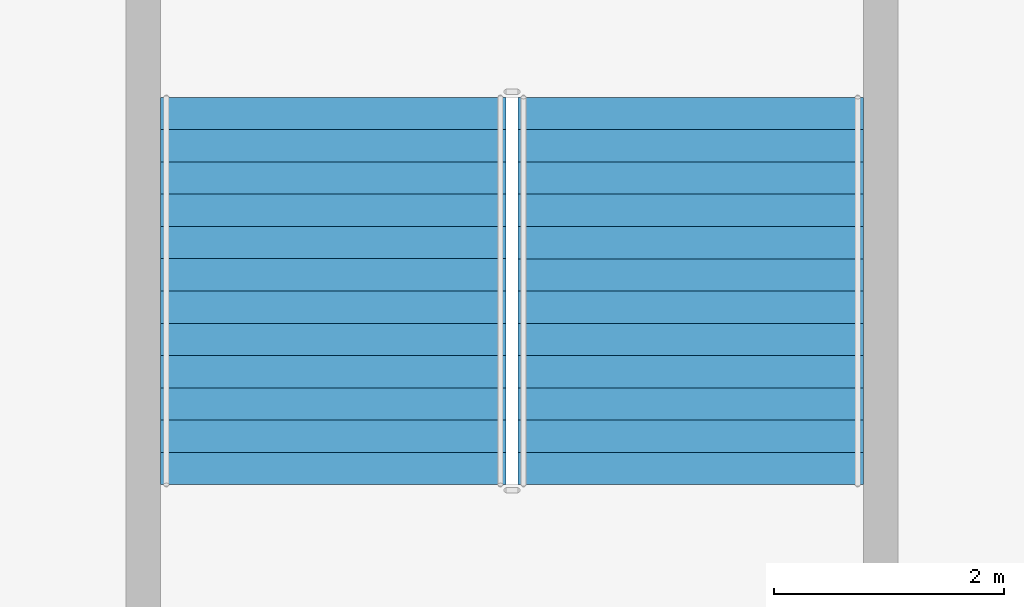
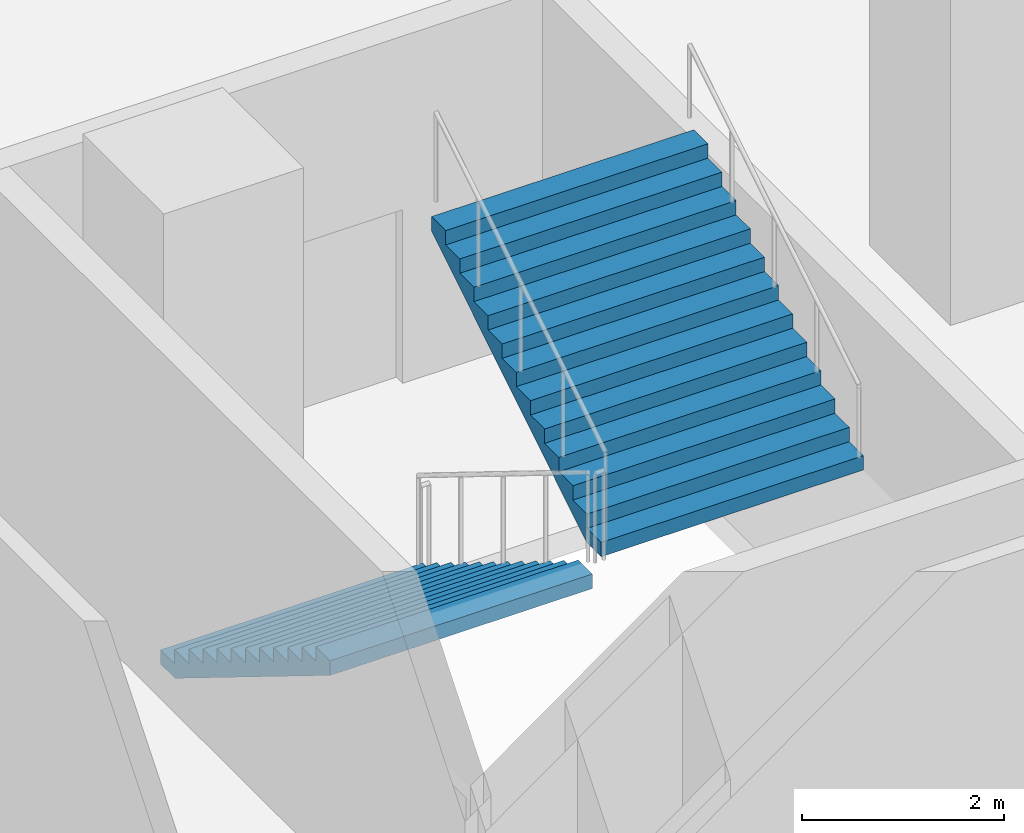
# One storey, part 9 of 14: 2 stair flights, 1 element without a shape of its own.
"""IFC4 building model written with IfcOpenShell, lengths in metres."""

from ifc_helpers import new_model, si_unit, direction, frame, origin, place, context, subcontext, project, spatial, triangles, source, transform, mapped, material, type_object, element, aggregate, save


model = new_model("IFC4")

# Units and contexts
model_context = context("Model", 3, precision=1e-05, world=origin(), true_north=direction((0.0, 1.0)))
body_context = subcontext(model_context, "Body", "Model", "MODEL_VIEW")
ifc_project = project(units=[si_unit("LENGTHUNIT", "METRE"), si_unit("AREAUNIT", "SQUARE_METRE"), si_unit("VOLUMEUNIT", "CUBIC_METRE"), si_unit("PLANEANGLEUNIT", "RADIAN"), si_unit("MASSUNIT", "GRAM", prefix="KILO")], contexts=[model_context])

# Site, building, storey
site_placement = place(None, origin())
site = spatial("IfcSite", under=ifc_project, at=site_placement, CompositionType="ELEMENT")
building_placement = place(site_placement, origin())
building = spatial("IfcBuilding", under=site, at=building_placement, Name="Ogive Portal Towers", CompositionType="ELEMENT")
storey_placement = place(building_placement, frame((0.0, 0.0, -4.5)))
storey = spatial("IfcBuildingStorey", under=building, at=storey_placement, Name="B1", CompositionType="ELEMENT", Elevation=-4.5)

# Stair, stair flights
ifc_material = material(Name="Concrete C40/50", Category="concrete")
stair_type = type_object("IfcStairType", Name="INT-STAIR", PredefinedType="HALF_TURN_STAIR", material=ifc_material)
stair_placement = place(storey_placement, origin())
stair = element("IfcStair", 1, at=stair_placement, inside=storey, type_object=stair_type, Name="B1 Exit Stair ST-S1", PredefinedType="HALF_TURN_STAIR")
stair_flight_type = type_object("IfcStairFlightType", Name="INT-FLIGHT", PredefinedType="STRAIGHT", material=ifc_material)
shared_shape = source(origin(), body_context, "Body", "Tessellation", [
    triangles([(0.0, -1.5, 0.0), (0.0, -0.8681640625, 0.0), (0.0, -0.4443359375, 0.0), (0.0, -0.1875, 0.0), (0.0, -0.0556640625, 0.0), (0.0, -0.0068359375, 0.0), (0.0, 0.0, 0.0), (0.0, 0.0068359375, 0.0), (0.0, 0.0556640625, 0.0), (0.0, 0.1875, 0.0), (0.0, 0.4443359375, 0.0), (0.0, 0.8681640625, 0.0), (0.0, 1.5, 0.0), (0.0, -1.5, 0.173095703125), (0.0, -0.8681640625, 0.173095703125), (0.0, -0.4443359375, 0.173095703125), (0.0, -0.1875, 0.173095703125), (0.0, -0.0556640625, 0.173095703125), (0.0, -0.0068359375, 0.173095703125), (0.0, 0.0, 0.173095703125), (0.0, 0.0068359375, 0.173095703125), (0.0, 0.0556640625, 0.173095703125), (0.0, 0.1875, 0.173095703125), (0.0, 0.4443359375, 0.173095703125), (0.0, 0.8681640625, 0.173095703125), (0.0, 1.5, 0.173095703125), (0.280029296875, -1.5, 0.173095703125), (0.280029296875, -0.8681640625, 0.173095703125), (0.280029296875, -0.4443359375, 0.173095703125), (0.280029296875, -0.1875, 0.173095703125), (0.280029296875, -0.0556640625, 0.173095703125), (0.280029296875, -0.0068359375, 0.173095703125), (0.280029296875, 0.0, 0.173095703125), (0.280029296875, 0.0068359375, 0.173095703125), (0.280029296875, 0.0556640625, 0.173095703125), (0.280029296875, 0.1875, 0.173095703125), (0.280029296875, 0.4443359375, 0.173095703125), (0.280029296875, 0.8681640625, 0.173095703125), (0.280029296875, 1.5, 0.173095703125), (0.280029296875, -1.5, 0.34619140625), (0.280029296875, -0.8681640625, 0.34619140625), (0.280029296875, -0.4443359375, 0.34619140625), (0.280029296875, -0.1875, 0.34619140625), (0.280029296875, -0.0556640625, 0.34619140625), (0.280029296875, -0.0068359375, 0.34619140625), (0.280029296875, 0.0, 0.34619140625), (0.280029296875, 0.0068359375, 0.34619140625), (0.280029296875, 0.0556640625, 0.34619140625), (0.280029296875, 0.1875, 0.34619140625), (0.280029296875, 0.4443359375, 0.34619140625), (0.280029296875, 0.8681640625, 0.34619140625), (0.280029296875, 1.5, 0.34619140625), (0.56005859375, -1.5, 0.34619140625), (0.56005859375, -0.8681640625, 0.34619140625), (0.56005859375, -0.4443359375, 0.34619140625), (0.56005859375, -0.1875, 0.34619140625), (0.56005859375, -0.0556640625, 0.34619140625), (0.56005859375, -0.0068359375, 0.34619140625), (0.56005859375, 0.0, 0.34619140625), (0.56005859375, 0.0068359375, 0.34619140625), (0.56005859375, 0.0556640625, 0.34619140625), (0.56005859375, 0.1875, 0.34619140625), (0.56005859375, 0.4443359375, 0.34619140625), (0.56005859375, 0.8681640625, 0.34619140625), (0.56005859375, 1.5, 0.34619140625), (0.56005859375, -1.5, 0.519287109375), (0.56005859375, -0.8681640625, 0.519287109375), (0.56005859375, -0.4443359375, 0.519287109375), (0.56005859375, -0.1875, 0.519287109375), (0.56005859375, -0.0556640625, 0.519287109375), (0.56005859375, -0.0068359375, 0.519287109375), (0.56005859375, 0.0, 0.519287109375), (0.56005859375, 0.0068359375, 0.519287109375), (0.56005859375, 0.0556640625, 0.519287109375), (0.56005859375, 0.1875, 0.519287109375), (0.56005859375, 0.4443359375, 0.519287109375), (0.56005859375, 0.8681640625, 0.519287109375), (0.56005859375, 1.5, 0.519287109375), (0.840087890625, -1.5, 0.519287109375), (0.840087890625, -0.8681640625, 0.519287109375), (0.840087890625, -0.4443359375, 0.519287109375), (0.840087890625, -0.1875, 0.519287109375), (0.840087890625, -0.0556640625, 0.519287109375), (0.840087890625, -0.0068359375, 0.519287109375), (0.840087890625, 0.0, 0.519287109375), (0.840087890625, 0.0068359375, 0.519287109375), (0.840087890625, 0.0556640625, 0.519287109375), (0.840087890625, 0.1875, 0.519287109375), (0.840087890625, 0.4443359375, 0.519287109375), (0.840087890625, 0.8681640625, 0.519287109375), (0.840087890625, 1.5, 0.519287109375), (0.840087890625, -1.5, 0.6923828125), (0.840087890625, -0.8681640625, 0.6923828125), (0.840087890625, -0.4443359375, 0.6923828125), (0.840087890625, -0.1875, 0.6923828125), (0.840087890625, -0.0556640625, 0.6923828125), (0.840087890625, -0.0068359375, 0.6923828125), (0.840087890625, 0.0, 0.6923828125), (0.840087890625, 0.0068359375, 0.6923828125), (0.840087890625, 0.0556640625, 0.6923828125), (0.840087890625, 0.1875, 0.6923828125), (0.840087890625, 0.4443359375, 0.6923828125), (0.840087890625, 0.8681640625, 0.6923828125), (0.840087890625, 1.5, 0.6923828125), (1.1201171875, -1.5, 0.6923828125), (1.1201171875, -0.8681640625, 0.6923828125), (1.1201171875, -0.4443359375, 0.6923828125), (1.1201171875, -0.1875, 0.6923828125), (1.1201171875, -0.0556640625, 0.6923828125), (1.1201171875, -0.0068359375, 0.6923828125), (1.1201171875, 0.0, 0.6923828125), (1.1201171875, 0.0068359375, 0.6923828125), (1.1201171875, 0.0556640625, 0.6923828125), (1.1201171875, 0.1875, 0.6923828125), (1.1201171875, 0.4443359375, 0.6923828125), (1.1201171875, 0.8681640625, 0.6923828125), (1.1201171875, 1.5, 0.6923828125), (1.1201171875, -1.5, 0.865478515625), (1.1201171875, -0.8681640625, 0.865478515625), (1.1201171875, -0.4443359375, 0.865478515625), (1.1201171875, -0.1875, 0.865478515625), (1.1201171875, -0.0556640625, 0.865478515625), (1.1201171875, -0.0068359375, 0.865478515625), (1.1201171875, 0.0, 0.865478515625), (1.1201171875, 0.0068359375, 0.865478515625), (1.1201171875, 0.0556640625, 0.865478515625), (1.1201171875, 0.1875, 0.865478515625), (1.1201171875, 0.4443359375, 0.865478515625), (1.1201171875, 0.8681640625, 0.865478515625), (1.1201171875, 1.5, 0.865478515625), (1.39990234375, -1.5, 0.865478515625), (1.39990234375, -0.8681640625, 0.865478515625), (1.39990234375, -0.4443359375, 0.865478515625), (1.39990234375, -0.1875, 0.865478515625), (1.39990234375, -0.0556640625, 0.865478515625), (1.39990234375, -0.0068359375, 0.865478515625), (1.39990234375, 0.0, 0.865478515625), (1.39990234375, 0.0068359375, 0.865478515625), (1.39990234375, 0.0556640625, 0.865478515625), (1.39990234375, 0.1875, 0.865478515625), (1.39990234375, 0.4443359375, 0.865478515625), (1.39990234375, 0.8681640625, 0.865478515625), (1.39990234375, 1.5, 0.865478515625), (1.39990234375, -1.5, 1.03857421875), (1.39990234375, -0.8681640625, 1.03857421875), (1.39990234375, -0.4443359375, 1.03857421875), (1.39990234375, -0.1875, 1.03857421875), (1.39990234375, -0.0556640625, 1.03857421875), (1.39990234375, -0.0068359375, 1.03857421875), (1.39990234375, 0.0, 1.03857421875), (1.39990234375, 0.0068359375, 1.03857421875), (1.39990234375, 0.0556640625, 1.03857421875), (1.39990234375, 0.1875, 1.03857421875), (1.39990234375, 0.4443359375, 1.03857421875), (1.39990234375, 0.8681640625, 1.03857421875), (1.39990234375, 1.5, 1.03857421875), (1.679931640625, -1.5, 1.03857421875), (1.679931640625, -0.8681640625, 1.03857421875), (1.679931640625, -0.4443359375, 1.03857421875), (1.679931640625, -0.1875, 1.03857421875), (1.679931640625, -0.0556640625, 1.03857421875), (1.679931640625, -0.0068359375, 1.03857421875), (1.679931640625, 0.0, 1.03857421875), (1.679931640625, 0.0068359375, 1.03857421875), (1.679931640625, 0.0556640625, 1.03857421875), (1.679931640625, 0.1875, 1.03857421875), (1.679931640625, 0.4443359375, 1.03857421875), (1.679931640625, 0.8681640625, 1.03857421875), (1.679931640625, 1.5, 1.03857421875), (1.679931640625, -1.5, 1.21142578125), (1.679931640625, -0.8681640625, 1.21142578125), (1.679931640625, -0.4443359375, 1.21142578125), (1.679931640625, -0.1875, 1.21142578125), (1.679931640625, -0.0556640625, 1.21142578125), (1.679931640625, -0.0068359375, 1.21142578125), (1.679931640625, 0.0, 1.21142578125), (1.679931640625, 0.0068359375, 1.21142578125), (1.679931640625, 0.0556640625, 1.21142578125), (1.679931640625, 0.1875, 1.21142578125), (1.679931640625, 0.4443359375, 1.21142578125), (1.679931640625, 0.8681640625, 1.21142578125), (1.679931640625, 1.5, 1.21142578125), (1.9599609375, -1.5, 1.21142578125), (1.9599609375, -0.8681640625, 1.21142578125), (1.9599609375, -0.4443359375, 1.21142578125), (1.9599609375, -0.1875, 1.21142578125), (1.9599609375, -0.0556640625, 1.21142578125), (1.9599609375, -0.0068359375, 1.21142578125), (1.9599609375, 0.0, 1.21142578125), (1.9599609375, 0.0068359375, 1.21142578125), (1.9599609375, 0.0556640625, 1.21142578125), (1.9599609375, 0.1875, 1.21142578125), (1.9599609375, 0.4443359375, 1.21142578125), (1.9599609375, 0.8681640625, 1.21142578125), (1.9599609375, 1.5, 1.21142578125), (1.9599609375, -1.5, 1.384521484375), (1.9599609375, -0.8681640625, 1.384521484375), (1.9599609375, -0.4443359375, 1.384521484375), (1.9599609375, -0.1875, 1.384521484375), (1.9599609375, -0.0556640625, 1.384521484375), (1.9599609375, -0.0068359375, 1.384521484375), (1.9599609375, 0.0, 1.384521484375), (1.9599609375, 0.0068359375, 1.384521484375), (1.9599609375, 0.0556640625, 1.384521484375), (1.9599609375, 0.1875, 1.384521484375), (1.9599609375, 0.4443359375, 1.384521484375), (1.9599609375, 0.8681640625, 1.384521484375), (1.9599609375, 1.5, 1.384521484375), (2.239990234375, -1.5, 1.384521484375), (2.239990234375, -0.8681640625, 1.384521484375), (2.239990234375, -0.4443359375, 1.384521484375), (2.239990234375, -0.1875, 1.384521484375), (2.239990234375, -0.0556640625, 1.384521484375), (2.239990234375, -0.0068359375, 1.384521484375), (2.239990234375, 0.0, 1.384521484375), (2.239990234375, 0.0068359375, 1.384521484375), (2.239990234375, 0.0556640625, 1.384521484375), (2.239990234375, 0.1875, 1.384521484375), (2.239990234375, 0.4443359375, 1.384521484375), (2.239990234375, 0.8681640625, 1.384521484375), (2.239990234375, 1.5, 1.384521484375), (2.239990234375, -1.5, 1.5576171875), (2.239990234375, -0.8681640625, 1.5576171875), (2.239990234375, -0.4443359375, 1.5576171875), (2.239990234375, -0.1875, 1.5576171875), (2.239990234375, -0.0556640625, 1.5576171875), (2.239990234375, -0.0068359375, 1.5576171875), (2.239990234375, 0.0, 1.5576171875), (2.239990234375, 0.0068359375, 1.5576171875), (2.239990234375, 0.0556640625, 1.5576171875), (2.239990234375, 0.1875, 1.5576171875), (2.239990234375, 0.4443359375, 1.5576171875), (2.239990234375, 0.8681640625, 1.5576171875), (2.239990234375, 1.5, 1.5576171875), (2.52001953125, -1.5, 1.5576171875), (2.52001953125, -0.8681640625, 1.5576171875), (2.52001953125, -0.4443359375, 1.5576171875), (2.52001953125, -0.1875, 1.5576171875), (2.52001953125, -0.0556640625, 1.5576171875), (2.52001953125, -0.0068359375, 1.5576171875), (2.52001953125, 0.0, 1.5576171875), (2.52001953125, 0.0068359375, 1.5576171875), (2.52001953125, 0.0556640625, 1.5576171875), (2.52001953125, 0.1875, 1.5576171875), (2.52001953125, 0.4443359375, 1.5576171875), (2.52001953125, 0.8681640625, 1.5576171875), (2.52001953125, 1.5, 1.5576171875), (2.52001953125, -1.5, 1.730712890625), (2.52001953125, -0.8681640625, 1.730712890625), (2.52001953125, -0.4443359375, 1.730712890625), (2.52001953125, -0.1875, 1.730712890625), (2.52001953125, -0.0556640625, 1.730712890625), (2.52001953125, -0.0068359375, 1.730712890625), (2.52001953125, 0.0, 1.730712890625), (2.52001953125, 0.0068359375, 1.730712890625), (2.52001953125, 0.0556640625, 1.730712890625), (2.52001953125, 0.1875, 1.730712890625), (2.52001953125, 0.4443359375, 1.730712890625), (2.52001953125, 0.8681640625, 1.730712890625), (2.52001953125, 1.5, 1.730712890625), (2.800048828125, -1.5, 1.730712890625), (2.800048828125, -0.8681640625, 1.730712890625), (2.800048828125, -0.4443359375, 1.730712890625), (2.800048828125, -0.1875, 1.730712890625), (2.800048828125, -0.0556640625, 1.730712890625), (2.800048828125, -0.0068359375, 1.730712890625), (2.800048828125, 0.0, 1.730712890625), (2.800048828125, 0.0068359375, 1.730712890625), (2.800048828125, 0.0556640625, 1.730712890625), (2.800048828125, 0.1875, 1.730712890625), (2.800048828125, 0.4443359375, 1.730712890625), (2.800048828125, 0.8681640625, 1.730712890625), (2.800048828125, 1.5, 1.730712890625), (2.800048828125, -1.5, 1.90380859375), (2.800048828125, -0.8681640625, 1.90380859375), (2.800048828125, -0.4443359375, 1.90380859375), (2.800048828125, -0.1875, 1.90380859375), (2.800048828125, -0.0556640625, 1.90380859375), (2.800048828125, -0.0068359375, 1.90380859375), (2.800048828125, 0.0, 1.90380859375), (2.800048828125, 0.0068359375, 1.90380859375), (2.800048828125, 0.0556640625, 1.90380859375), (2.800048828125, 0.1875, 1.90380859375), (2.800048828125, 0.4443359375, 1.90380859375), (2.800048828125, 0.8681640625, 1.90380859375), (2.800048828125, 1.5, 1.90380859375), (3.080078125, -1.5, 1.90380859375), (3.080078125, -0.8681640625, 1.90380859375), (3.080078125, -0.4443359375, 1.90380859375), (3.080078125, -0.1875, 1.90380859375), (3.080078125, -0.0556640625, 1.90380859375), (3.080078125, -0.0068359375, 1.90380859375), (3.080078125, 0.0, 1.90380859375), (3.080078125, 0.0068359375, 1.90380859375), (3.080078125, 0.0556640625, 1.90380859375), (3.080078125, 0.1875, 1.90380859375), (3.080078125, 0.4443359375, 1.90380859375), (3.080078125, 0.8681640625, 1.90380859375), (3.080078125, 1.5, 1.90380859375), (3.080078125, -1.5, 2.076904296875), (3.080078125, -0.8681640625, 2.076904296875), (3.080078125, -0.4443359375, 2.076904296875), (3.080078125, -0.1875, 2.076904296875), (3.080078125, -0.0556640625, 2.076904296875), (3.080078125, -0.0068359375, 2.076904296875), (3.080078125, 0.0, 2.076904296875), (3.080078125, 0.0068359375, 2.076904296875), (3.080078125, 0.0556640625, 2.076904296875), (3.080078125, 0.1875, 2.076904296875), (3.080078125, 0.4443359375, 2.076904296875), (3.080078125, 0.8681640625, 2.076904296875), (3.080078125, 1.5, 2.076904296875), (3.360107421875, -1.5, 2.076904296875), (3.360107421875, -0.8681640625, 2.076904296875), (3.360107421875, -0.4443359375, 2.076904296875), (3.360107421875, -0.1875, 2.076904296875), (3.360107421875, -0.0556640625, 2.076904296875), (3.360107421875, -0.0068359375, 2.076904296875), (3.360107421875, 0.0, 2.076904296875), (3.360107421875, 0.0068359375, 2.076904296875), (3.360107421875, 0.0556640625, 2.076904296875), (3.360107421875, 0.1875, 2.076904296875), (3.360107421875, 0.4443359375, 2.076904296875), (3.360107421875, 0.8681640625, 2.076904296875), (3.360107421875, 1.5, 2.076904296875), (3.360107421875, -1.5, 1.900634765625), (3.360107421875, -0.8681640625, 1.900634765625), (3.360107421875, -0.4443359375, 1.900634765625), (3.360107421875, -0.1875, 1.900634765625), (3.360107421875, -0.0556640625, 1.900634765625), (3.360107421875, -0.0068359375, 1.900634765625), (3.360107421875, 0.0, 1.900634765625), (3.360107421875, 0.0068359375, 1.900634765625), (3.360107421875, 0.0556640625, 1.900634765625), (3.360107421875, 0.1875, 1.900634765625), (3.360107421875, 0.4443359375, 1.900634765625), (3.360107421875, 0.8681640625, 1.900634765625), (3.360107421875, 1.5, 1.900634765625), (0.28515625, -1.5, 0.0), (0.28515625, -0.8681640625, 0.0), (0.28515625, -0.4443359375, 0.0), (0.28515625, -0.1875, 0.0), (0.28515625, -0.0556640625, 0.0), (0.28515625, -0.0068359375, 0.0), (0.28515625, 0.0, 0.0), (0.28515625, 0.0068359375, 0.0), (0.28515625, 0.0556640625, 0.0), (0.28515625, 0.1875, 0.0), (0.28515625, 0.4443359375, 0.0), (0.28515625, 0.8681640625, 0.0), (0.28515625, 1.5, 0.0)], [[1, 14, 15], [1, 15, 2], [2, 15, 16], [2, 16, 3], [3, 16, 17], [3, 17, 4], [4, 17, 18], [4, 18, 5], [5, 18, 19], [5, 19, 6], [6, 19, 20], [6, 20, 7], [7, 20, 21], [7, 21, 8], [8, 21, 22], [8, 22, 9], [9, 22, 23], [9, 23, 10], [10, 23, 24], [10, 24, 11], [11, 24, 25], [11, 25, 12], [12, 25, 26], [12, 26, 13], [14, 27, 28], [14, 28, 15], [15, 28, 29], [15, 29, 16], [16, 29, 30], [16, 30, 17], [17, 30, 31], [17, 31, 18], [18, 31, 32], [18, 32, 19], [19, 32, 33], [19, 33, 20], [20, 33, 34], [20, 34, 21], [21, 34, 35], [21, 35, 22], [22, 35, 36], [22, 36, 23], [23, 36, 37], [23, 37, 24], [24, 37, 38], [24, 38, 25], [25, 38, 39], [25, 39, 26], [27, 40, 41], [27, 41, 28], [28, 41, 42], [28, 42, 29], [29, 42, 43], [29, 43, 30], [30, 43, 44], [30, 44, 31], [31, 44, 45], [31, 45, 32], [32, 45, 46], [32, 46, 33], [33, 46, 47], [33, 47, 34], [34, 47, 48], [34, 48, 35], [35, 48, 49], [35, 49, 36], [36, 49, 50], [36, 50, 37], [37, 50, 51], [37, 51, 38], [38, 51, 52], [38, 52, 39], [40, 53, 54], [40, 54, 41], [41, 54, 55], [41, 55, 42], [42, 55, 56], [42, 56, 43], [43, 56, 57], [43, 57, 44], [44, 57, 58], [44, 58, 45], [45, 58, 59], [45, 59, 46], [46, 59, 60], [46, 60, 47], [47, 60, 61], [47, 61, 48], [48, 61, 62], [48, 62, 49], [49, 62, 63], [49, 63, 50], [50, 63, 64], [50, 64, 51], [51, 64, 65], [51, 65, 52], [53, 66, 67], [53, 67, 54], [54, 67, 68], [54, 68, 55], [55, 68, 69], [55, 69, 56], [56, 69, 70], [56, 70, 57], [57, 70, 71], [57, 71, 58], [58, 71, 72], [58, 72, 59], [59, 72, 73], [59, 73, 60], [60, 73, 74], [60, 74, 61], [61, 74, 75], [61, 75, 62], [62, 75, 76], [62, 76, 63], [63, 76, 77], [63, 77, 64], [64, 77, 78], [64, 78, 65], [66, 79, 80], [66, 80, 67], [67, 80, 81], [67, 81, 68], [68, 81, 82], [68, 82, 69], [69, 82, 83], [69, 83, 70], [70, 83, 84], [70, 84, 71], [71, 84, 85], [71, 85, 72], [72, 85, 86], [72, 86, 73], [73, 86, 87], [73, 87, 74], [74, 87, 88], [74, 88, 75], [75, 88, 89], [75, 89, 76], [76, 89, 90], [76, 90, 77], [77, 90, 91], [77, 91, 78], [79, 92, 93], [79, 93, 80], [80, 93, 94], [80, 94, 81], [81, 94, 95], [81, 95, 82], [82, 95, 96], [82, 96, 83], [83, 96, 97], [83, 97, 84], [84, 97, 98], [84, 98, 85], [85, 98, 99], [85, 99, 86], [86, 99, 100], [86, 100, 87], [87, 100, 101], [87, 101, 88], [88, 101, 102], [88, 102, 89], [89, 102, 103], [89, 103, 90], [90, 103, 104], [90, 104, 91], [92, 105, 106], [92, 106, 93], [93, 106, 107], [93, 107, 94], [94, 107, 108], [94, 108, 95], [95, 108, 109], [95, 109, 96], [96, 109, 110], [96, 110, 97], [97, 110, 111], [97, 111, 98], [98, 111, 112], [98, 112, 99], [99, 112, 113], [99, 113, 100], [100, 113, 114], [100, 114, 101], [101, 114, 115], [101, 115, 102], [102, 115, 116], [102, 116, 103], [103, 116, 117], [103, 117, 104], [105, 118, 119], [105, 119, 106], [106, 119, 120], [106, 120, 107], [107, 120, 121], [107, 121, 108], [108, 121, 122], [108, 122, 109], [109, 122, 123], [109, 123, 110], [110, 123, 124], [110, 124, 111], [111, 124, 125], [111, 125, 112], [112, 125, 126], [112, 126, 113], [113, 126, 127], [113, 127, 114], [114, 127, 128], [114, 128, 115], [115, 128, 129], [115, 129, 116], [116, 129, 130], [116, 130, 117], [118, 131, 132], [118, 132, 119], [119, 132, 133], [119, 133, 120], [120, 133, 134], [120, 134, 121], [121, 134, 135], [121, 135, 122], [122, 135, 136], [122, 136, 123], [123, 136, 137], [123, 137, 124], [124, 137, 138], [124, 138, 125], [125, 138, 139], [125, 139, 126], [126, 139, 140], [126, 140, 127], [127, 140, 141], [127, 141, 128], [128, 141, 142], [128, 142, 129], [129, 142, 143], [129, 143, 130], [131, 144, 145], [131, 145, 132], [132, 145, 146], [132, 146, 133], [133, 146, 147], [133, 147, 134], [134, 147, 148], [134, 148, 135], [135, 148, 149], [135, 149, 136], [136, 149, 150], [136, 150, 137], [137, 150, 151], [137, 151, 138], [138, 151, 152], [138, 152, 139], [139, 152, 153], [139, 153, 140], [140, 153, 154], [140, 154, 141], [141, 154, 155], [141, 155, 142], [142, 155, 156], [142, 156, 143], [144, 157, 158], [144, 158, 145], [145, 158, 159], [145, 159, 146], [146, 159, 160], [146, 160, 147], [147, 160, 161], [147, 161, 148], [148, 161, 162], [148, 162, 149], [149, 162, 163], [149, 163, 150], [150, 163, 164], [150, 164, 151], [151, 164, 165], [151, 165, 152], [152, 165, 166], [152, 166, 153], [153, 166, 167], [153, 167, 154], [154, 167, 168], [154, 168, 155], [155, 168, 169], [155, 169, 156], [157, 170, 171], [157, 171, 158], [158, 171, 172], [158, 172, 159], [159, 172, 173], [159, 173, 160], [160, 173, 174], [160, 174, 161], [161, 174, 175], [161, 175, 162], [162, 175, 176], [162, 176, 163], [163, 176, 177], [163, 177, 164], [164, 177, 178], [164, 178, 165], [165, 178, 179], [165, 179, 166], [166, 179, 180], [166, 180, 167], [167, 180, 181], [167, 181, 168], [168, 181, 182], [168, 182, 169], [170, 183, 184], [170, 184, 171], [171, 184, 185], [171, 185, 172], [172, 185, 186], [172, 186, 173], [173, 186, 187], [173, 187, 174], [174, 187, 188], [174, 188, 175], [175, 188, 189], [175, 189, 176], [176, 189, 190], [176, 190, 177], [177, 190, 191], [177, 191, 178], [178, 191, 192], [178, 192, 179], [179, 192, 193], [179, 193, 180], [180, 193, 194], [180, 194, 181], [181, 194, 195], [181, 195, 182], [183, 196, 197], [183, 197, 184], [184, 197, 198], [184, 198, 185], [185, 198, 199], [185, 199, 186], [186, 199, 200], [186, 200, 187], [187, 200, 201], [187, 201, 188], [188, 201, 202], [188, 202, 189], [189, 202, 203], [189, 203, 190], [190, 203, 204], [190, 204, 191], [191, 204, 205], [191, 205, 192], [192, 205, 206], [192, 206, 193], [193, 206, 207], [193, 207, 194], [194, 207, 208], [194, 208, 195], [196, 209, 210], [196, 210, 197], [197, 210, 211], [197, 211, 198], [198, 211, 212], [198, 212, 199], [199, 212, 213], [199, 213, 200], [200, 213, 214], [200, 214, 201], [201, 214, 215], [201, 215, 202], [202, 215, 216], [202, 216, 203], [203, 216, 217], [203, 217, 204], [204, 217, 218], [204, 218, 205], [205, 218, 219], [205, 219, 206], [206, 219, 220], [206, 220, 207], [207, 220, 221], [207, 221, 208], [209, 222, 223], [209, 223, 210], [210, 223, 224], [210, 224, 211], [211, 224, 225], [211, 225, 212], [212, 225, 226], [212, 226, 213], [213, 226, 227], [213, 227, 214], [214, 227, 228], [214, 228, 215], [215, 228, 229], [215, 229, 216], [216, 229, 230], [216, 230, 217], [217, 230, 231], [217, 231, 218], [218, 231, 232], [218, 232, 219], [219, 232, 233], [219, 233, 220], [220, 233, 234], [220, 234, 221], [222, 235, 236], [222, 236, 223], [223, 236, 237], [223, 237, 224], [224, 237, 238], [224, 238, 225], [225, 238, 239], [225, 239, 226], [226, 239, 240], [226, 240, 227], [227, 240, 241], [227, 241, 228], [228, 241, 242], [228, 242, 229], [229, 242, 243], [229, 243, 230], [230, 243, 244], [230, 244, 231], [231, 244, 245], [231, 245, 232], [232, 245, 246], [232, 246, 233], [233, 246, 247], [233, 247, 234], [235, 248, 249], [235, 249, 236], [236, 249, 250], [236, 250, 237], [237, 250, 251], [237, 251, 238], [238, 251, 252], [238, 252, 239], [239, 252, 253], [239, 253, 240], [240, 253, 254], [240, 254, 241], [241, 254, 255], [241, 255, 242], [242, 255, 256], [242, 256, 243], [243, 256, 257], [243, 257, 244], [244, 257, 258], [244, 258, 245], [245, 258, 259], [245, 259, 246], [246, 259, 260], [246, 260, 247], [248, 261, 262], [248, 262, 249], [249, 262, 263], [249, 263, 250], [250, 263, 264], [250, 264, 251], [251, 264, 265], [251, 265, 252], [252, 265, 266], [252, 266, 253], [253, 266, 267], [253, 267, 254], [254, 267, 268], [254, 268, 255], [255, 268, 269], [255, 269, 256], [256, 269, 270], [256, 270, 257], [257, 270, 271], [257, 271, 258], [258, 271, 272], [258, 272, 259], [259, 272, 273], [259, 273, 260], [261, 274, 275], [261, 275, 262], [262, 275, 276], [262, 276, 263], [263, 276, 277], [263, 277, 264], [264, 277, 278], [264, 278, 265], [265, 278, 279], [265, 279, 266], [266, 279, 280], [266, 280, 267], [267, 280, 281], [267, 281, 268], [268, 281, 282], [268, 282, 269], [269, 282, 283], [269, 283, 270], [270, 283, 284], [270, 284, 271], [271, 284, 285], [271, 285, 272], [272, 285, 286], [272, 286, 273], [274, 287, 288], [274, 288, 275], [275, 288, 289], [275, 289, 276], [276, 289, 290], [276, 290, 277], [277, 290, 291], [277, 291, 278], [278, 291, 292], [278, 292, 279], [279, 292, 293], [279, 293, 280], [280, 293, 294], [280, 294, 281], [281, 294, 295], [281, 295, 282], [282, 295, 296], [282, 296, 283], [283, 296, 297], [283, 297, 284], [284, 297, 298], [284, 298, 285], [285, 298, 299], [285, 299, 286], [287, 300, 301], [287, 301, 288], [288, 301, 302], [288, 302, 289], [289, 302, 303], [289, 303, 290], [290, 303, 304], [290, 304, 291], [291, 304, 305], [291, 305, 292], [292, 305, 306], [292, 306, 293], [293, 306, 307], [293, 307, 294], [294, 307, 308], [294, 308, 295], [295, 308, 309], [295, 309, 296], [296, 309, 310], [296, 310, 297], [297, 310, 311], [297, 311, 298], [298, 311, 312], [298, 312, 299], [300, 313, 314], [300, 314, 301], [301, 314, 315], [301, 315, 302], [302, 315, 316], [302, 316, 303], [303, 316, 317], [303, 317, 304], [304, 317, 318], [304, 318, 305], [305, 318, 319], [305, 319, 306], [306, 319, 320], [306, 320, 307], [307, 320, 321], [307, 321, 308], [308, 321, 322], [308, 322, 309], [309, 322, 323], [309, 323, 310], [310, 323, 324], [310, 324, 311], [311, 324, 325], [311, 325, 312], [313, 326, 327], [313, 327, 314], [314, 327, 328], [314, 328, 315], [315, 328, 329], [315, 329, 316], [316, 329, 330], [316, 330, 317], [317, 330, 331], [317, 331, 318], [318, 331, 332], [318, 332, 319], [319, 332, 333], [319, 333, 320], [320, 333, 334], [320, 334, 321], [321, 334, 335], [321, 335, 322], [322, 335, 336], [322, 336, 323], [323, 336, 337], [323, 337, 324], [324, 337, 338], [324, 338, 325], [326, 339, 340], [326, 340, 327], [327, 340, 341], [327, 341, 328], [328, 341, 342], [328, 342, 329], [329, 342, 343], [329, 343, 330], [330, 343, 344], [330, 344, 331], [331, 344, 345], [331, 345, 332], [332, 345, 346], [332, 346, 333], [333, 346, 347], [333, 347, 334], [334, 347, 348], [334, 348, 335], [335, 348, 349], [335, 349, 336], [336, 349, 350], [336, 350, 337], [337, 350, 351], [337, 351, 338], [339, 1, 2], [339, 2, 340], [340, 2, 3], [340, 3, 341], [341, 3, 4], [341, 4, 342], [342, 4, 5], [342, 5, 343], [343, 5, 6], [343, 6, 344], [344, 6, 7], [344, 7, 345], [345, 7, 8], [345, 8, 346], [346, 8, 9], [346, 9, 347], [347, 9, 10], [347, 10, 348], [348, 10, 11], [348, 11, 349], [349, 11, 12], [349, 12, 350], [350, 12, 13], [350, 13, 351], [1, 339, 326], [13, 338, 351], [326, 313, 300], [338, 312, 325], [326, 300, 287], [338, 299, 312], [326, 287, 274], [338, 286, 299], [326, 274, 261], [338, 273, 286], [261, 248, 235], [273, 247, 260], [326, 261, 235], [338, 247, 273], [235, 222, 209], [247, 221, 234], [326, 235, 209], [338, 221, 247], [209, 196, 183], [221, 195, 208], [326, 209, 183], [338, 195, 221], [1, 326, 183], [13, 195, 338], [183, 170, 157], [195, 169, 182], [157, 144, 131], [169, 143, 156], [183, 157, 131], [195, 143, 169], [131, 118, 105], [143, 117, 130], [183, 131, 105], [195, 117, 143], [105, 92, 79], [117, 91, 104], [183, 105, 79], [195, 91, 117], [79, 66, 53], [91, 65, 78], [183, 79, 53], [195, 65, 91], [53, 40, 27], [65, 39, 52], [183, 53, 27], [195, 39, 65], [1, 183, 27], [13, 39, 195], [27, 14, 1], [39, 13, 26]], closed=True),
])
stair_flight_1_placement = place(storey_placement, frame((67.5, 19.550048828125, 0.0), z_axis=(0.0, 0.0, 1.0), x_axis=(0.0, -1.0, 0.0)))
stair_flight_1 = element("IfcStairFlight", 2, at=stair_flight_1_placement, type_object=stair_flight_type, Name="ST-S1 flight 1", NumberOfRisers=13, NumberOfTreads=12, PredefinedType="STRAIGHT", RiserHeight=0.173076923, TreadLength=0.28, context=body_context, shape_type="MappedRepresentation", body=[
    mapped(shared_shape, transform((0.0, 0.0, 0.0), scale=1.0)),
])
stair_flight_2_placement = place(storey_placement, frame((70.60009765625, 16.18994140625, 2.25), z_axis=(0.0, 0.0, 1.0), x_axis=(0.0, 1.0, 0.0)))
stair_flight_2 = element("IfcStairFlight", 3, at=stair_flight_2_placement, type_object=stair_flight_type, Name="ST-S1 flight 2", NumberOfRisers=13, NumberOfTreads=12, PredefinedType="STRAIGHT", RiserHeight=0.173076923, TreadLength=0.28, context=body_context, shape_type="MappedRepresentation", body=[
    mapped(shared_shape, transform((0.0, 0.0, 0.0), scale=1.0)),
])
aggregate(stair, [stair_flight_1, stair_flight_2])

save(model, "model.ifc")
